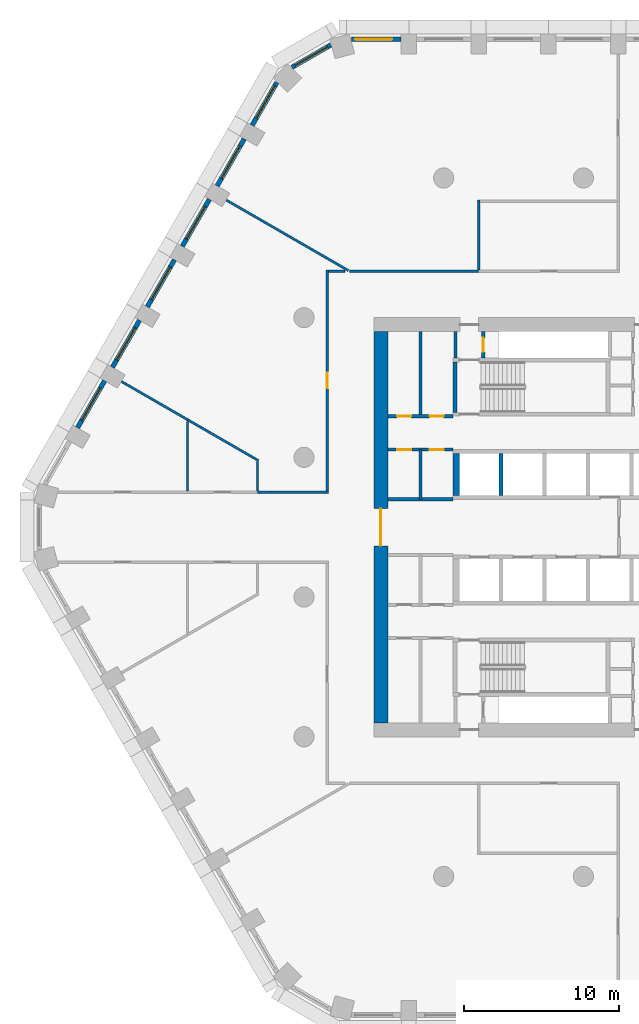
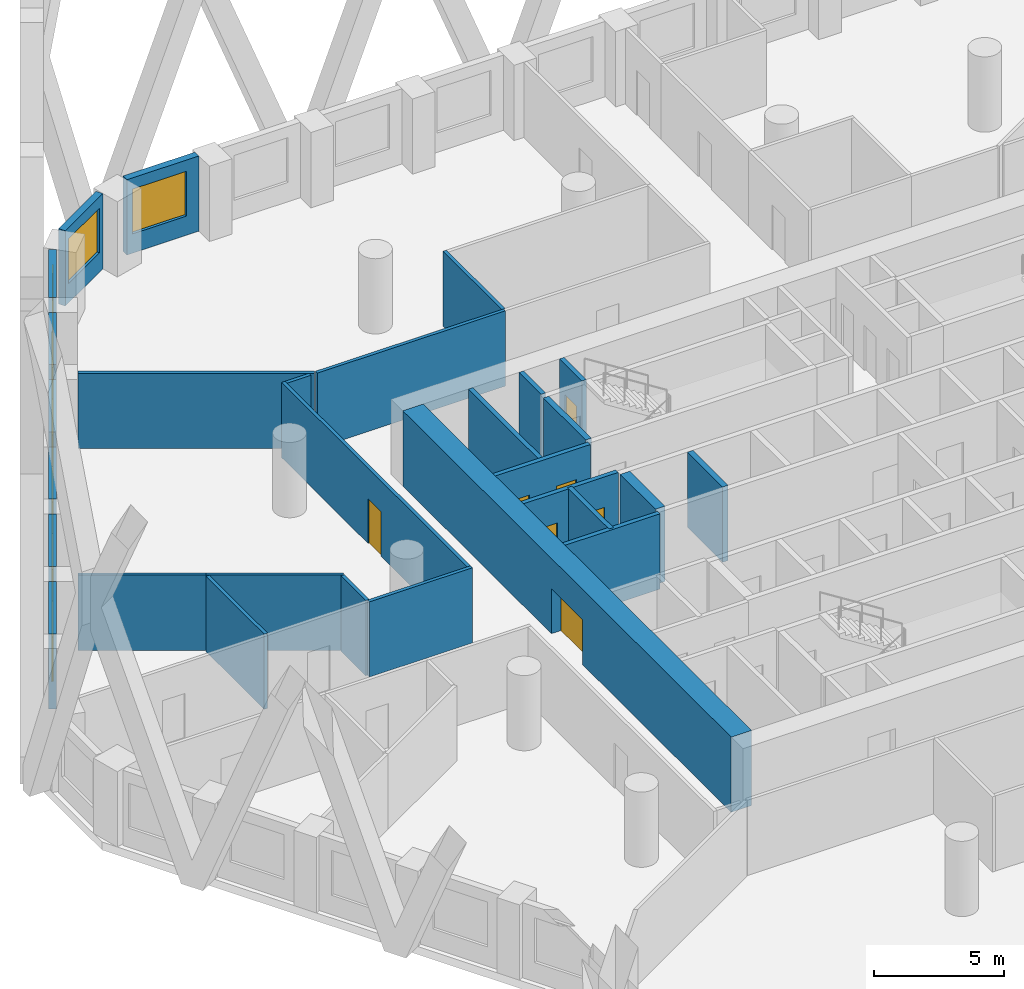
# One storey, part 5 of 18: 29 walls, 8 windows, 7 doors, 15 openings.
"""IFC4 building model written with IfcOpenShell, lengths in metres."""

from ifc_helpers import new_model, si_unit, direction, frame, frame_2d, origin, place, context, subcontext, project, spatial, polyline, rectangle, outline, extrude, material, layer, layer_set, type_object, element, fill, save


model = new_model("IFC4")

# Units and contexts
model_context = context("Model", 3, precision=1e-05, world=origin(), true_north=direction((0.0, 1.0)))
body_context = subcontext(model_context, "Body", "Model", "MODEL_VIEW")
ifc_project = project(units=[si_unit("LENGTHUNIT", "METRE"), si_unit("AREAUNIT", "SQUARE_METRE"), si_unit("VOLUMEUNIT", "CUBIC_METRE"), si_unit("PLANEANGLEUNIT", "RADIAN"), si_unit("MASSUNIT", "GRAM", prefix="KILO")], contexts=[model_context])

# Site, building, storey
site_placement = place(None, origin())
site = spatial("IfcSite", under=ifc_project, at=site_placement, CompositionType="ELEMENT")
building_placement = place(site_placement, origin())
building = spatial("IfcBuilding", under=site, at=building_placement, Name="Dhurran Vertical Campus", CompositionType="ELEMENT")
storey_placement = place(building_placement, frame((0.0, 0.0, 104.699951171875)))
storey = spatial("IfcBuildingStorey", under=building, at=storey_placement, Name="L25", CompositionType="ELEMENT", Elevation=104.699951171875)

# Wall, opening, window
ifc_material_1 = material(Name="Precast concrete C50/60", Category="concrete")
ifc_layer_1 = layer(ifc_material_1, 0.300048828125)
ifc_layer_set_1 = layer_set([ifc_layer_1], Name="Precast concrete C50/60")
wall_type_1 = type_object("IfcWallType", Name="Precast spandrel wall 300", PredefinedType="SOLIDWALL", material=ifc_layer_set_1)
wall_1_placement = place(storey_placement, frame((-16.25048828125, 31.4296875, 0.0), z_axis=(0.0, 0.0, 1.0), x_axis=(-1.0, 0.0, 0.0)))
wall_1 = element("IfcWall", 1, at=wall_1_placement, inside=storey, type_object=wall_type_1, Name="EW1 L25.34", PredefinedType="SOLIDWALL", context=body_context, shape_type="SweptSolid", body=[
    extrude(rectangle(XDim=3.1923828125, YDim=0.300048828125, at=frame_2d((1.59619140625, 0.0))), origin(), (0.0, 0.0, 1.0), 3.525146484375),
])
opening_1_placement = place(wall_1_placement, frame((0.549560546875, 0.0, 0.89990234375)))
opening_1 = element("IfcOpeningElement", 2, at=opening_1_placement, cuts=wall_1, Name="Opening WT1", PredefinedType="OPENING", context=body_context, shape_type="SweptSolid", body=[
    extrude(rectangle(XDim=2.39990234375, YDim=2.10009765625, at=frame_2d((1.199951171875, 1.050048828125))), frame((0.0, 0.159912109375, 0.0), z_axis=(0.0, -1.0, 0.0), x_axis=(1.0, 0.0, 0.0)), (0.0, 0.0, 1.0), 0.320068359375),
])
ifc_material_2 = material(Name="Aluminium frame with solar-control glass", Category="aluminium")
window_type = type_object("IfcWindowType", Name="Punched window 2400 x 2100", PartitioningType="SINGLE_PANEL", PredefinedType="WINDOW", material=ifc_material_2)
window_1_placement = place(opening_1_placement, origin())
window_1 = element("IfcWindow", 3, at=window_1_placement, inside=storey, type_object=window_type, Name="WT1 L25.34", OverallHeight=2.10009765625, OverallWidth=2.39990234375, PartitioningType="SINGLE_PANEL", PredefinedType="WINDOW", context=body_context, shape_type="SweptSolid", body=[
    extrude(rectangle(XDim=2.39990234375, YDim=2.10009765625, at=frame_2d((1.199951171875, 1.050048828125))), frame((0.0, 0.030029296875, 0.0), z_axis=(0.0, -1.0, 0.0), x_axis=(1.0, 0.0, 0.0)), (0.0, 0.0, 1.0), 0.06005859375),
])
fill(opening_1, window_1)

wall_2_placement = place(storey_placement, frame((-20.774169921875, 31.072998046875, 0.0), z_axis=(0.0, 0.0, 1.0), x_axis=(-0.866053149362, -0.49995194017, 0.0)))
wall_2 = element("IfcWall", 4, at=wall_2_placement, inside=storey, type_object=wall_type_1, Name="EW1 L25.35", PredefinedType="SOLIDWALL", context=body_context, shape_type="SweptSolid", body=[
    extrude(rectangle(XDim=2.885498046875, YDim=0.300048828125, at=frame_2d((1.44287109375, 0.0))), origin(), (0.0, 0.0, 1.0), 3.525146484375),
])
opening_2_placement = place(wall_2_placement, frame((0.242919921875, 0.0, 0.89990234375)))
opening_2 = element("IfcOpeningElement", 5, at=opening_2_placement, cuts=wall_2, Name="Opening WT1", PredefinedType="OPENING", context=body_context, shape_type="SweptSolid", body=[
    extrude(rectangle(XDim=2.39990234375, YDim=2.10009765625, at=frame_2d((1.199951171875, 1.050048828125))), frame((0.0, 0.159912109375, 0.0), z_axis=(0.0, -1.0, 0.0), x_axis=(1.0, 0.0, 0.0)), (0.0, 0.0, 1.0), 0.320068359375),
])
window_2_placement = place(opening_2_placement, origin())
window_2 = element("IfcWindow", 6, at=window_2_placement, inside=storey, type_object=window_type, Name="WT1 L25.35", OverallHeight=2.10009765625, OverallWidth=2.39990234375, PartitioningType="SINGLE_PANEL", PredefinedType="WINDOW", context=body_context, shape_type="SweptSolid", body=[
    extrude(rectangle(XDim=2.39990234375, YDim=2.10009765625, at=frame_2d((1.199951171875, 1.050048828125))), frame((0.0, 0.030029296875, 0.0), z_axis=(0.0, -1.0, 0.0), x_axis=(1.0, 0.0, 0.0)), (0.0, 0.0, 1.0), 0.06005859375),
])
fill(opening_2, window_2)

wall_3_placement = place(storey_placement, frame((-24.24755859375, 28.65576171875, 0.0), z_axis=(0.0, 0.0, 1.0), x_axis=(-0.500004907028, -0.866022570692, 0.0)))
wall_3 = element("IfcWall", 7, at=wall_3_placement, inside=storey, type_object=wall_type_1, Name="EW1 L25.36", PredefinedType="SOLIDWALL", context=body_context, shape_type="SweptSolid", body=[
    extrude(rectangle(XDim=3.1923828125, YDim=0.300048828125, at=frame_2d((1.59619140625, 0.0))), origin(), (0.0, 0.0, 1.0), 3.525146484375),
])
opening_3_placement = place(wall_3_placement, frame((0.242919921875, 0.0, 0.89990234375)))
opening_3 = element("IfcOpeningElement", 8, at=opening_3_placement, cuts=wall_3, Name="Opening WT1", PredefinedType="OPENING", context=body_context, shape_type="SweptSolid", body=[
    extrude(rectangle(XDim=2.39990234375, YDim=2.10009765625, at=frame_2d((1.199951171875, 1.050048828125))), frame((0.0, 0.159912109375, 0.0), z_axis=(0.0, -1.0, 0.0), x_axis=(1.0, 0.0, 0.0)), (0.0, 0.0, 1.0), 0.320068359375),
])
window_3_placement = place(opening_3_placement, origin())
window_3 = element("IfcWindow", 9, at=window_3_placement, inside=storey, type_object=window_type, Name="WT1 L25.36", OverallHeight=2.10009765625, OverallWidth=2.39990234375, PartitioningType="SINGLE_PANEL", PredefinedType="WINDOW", context=body_context, shape_type="SweptSolid", body=[
    extrude(rectangle(XDim=2.39990234375, YDim=2.10009765625, at=frame_2d((1.199951171875, 1.050048828125))), frame((0.0, 0.030029296875, 0.0), z_axis=(0.0, -1.0, 0.0), x_axis=(1.0, 0.0, 0.0)), (0.0, 0.0, 1.0), 0.06005859375),
])
fill(opening_3, window_3)

wall_4_placement = place(storey_placement, frame((-26.34423828125, 25.024169921875, 0.0), z_axis=(0.0, 0.0, 1.0), x_axis=(-0.499996256241, -0.866027565234, 0.0)))
wall_4 = element("IfcWall", 10, at=wall_4_placement, inside=storey, type_object=wall_type_1, Name="EW1 L25.37", PredefinedType="SOLIDWALL", context=body_context, shape_type="SweptSolid", body=[
    extrude(rectangle(XDim=3.4990234375, YDim=0.300048828125, at=frame_2d((1.74951171875, 0.0))), origin(), (0.0, 0.0, 1.0), 3.525146484375),
])
opening_4_placement = place(wall_4_placement, frame((0.549560546875, 0.0, 0.89990234375)))
opening_4 = element("IfcOpeningElement", 11, at=opening_4_placement, cuts=wall_4, Name="Opening WT1", PredefinedType="OPENING", context=body_context, shape_type="SweptSolid", body=[
    extrude(rectangle(XDim=2.39990234375, YDim=2.10009765625, at=frame_2d((1.199951171875, 1.050048828125))), frame((0.0, 0.159912109375, 0.0), z_axis=(0.0, -1.0, 0.0), x_axis=(1.0, 0.0, 0.0)), (0.0, 0.0, 1.0), 0.320068359375),
])
window_4_placement = place(opening_4_placement, origin())
window_4 = element("IfcWindow", 12, at=window_4_placement, inside=storey, type_object=window_type, Name="WT1 L25.37", OverallHeight=2.10009765625, OverallWidth=2.39990234375, PartitioningType="SINGLE_PANEL", PredefinedType="WINDOW", context=body_context, shape_type="SweptSolid", body=[
    extrude(rectangle(XDim=2.39990234375, YDim=2.10009765625, at=frame_2d((1.199951171875, 1.050048828125))), frame((0.0, 0.030029296875, 0.0), z_axis=(0.0, -1.0, 0.0), x_axis=(1.0, 0.0, 0.0)), (0.0, 0.0, 1.0), 0.06005859375),
])
fill(opening_4, window_4)

wall_5_placement = place(storey_placement, frame((-28.59423828125, 21.127197265625, 0.0), z_axis=(0.0, 0.0, 1.0), x_axis=(-0.499996256241, -0.866027565234, 0.0)))
wall_5 = element("IfcWall", 13, at=wall_5_placement, inside=storey, type_object=wall_type_1, Name="EW1 L25.38", PredefinedType="SOLIDWALL", context=body_context, shape_type="SweptSolid", body=[
    extrude(rectangle(XDim=3.4990234375, YDim=0.300048828125, at=frame_2d((1.74951171875, 0.0))), origin(), (0.0, 0.0, 1.0), 3.525146484375),
])
opening_5_placement = place(wall_5_placement, frame((0.549560546875, 0.0, 0.89990234375)))
opening_5 = element("IfcOpeningElement", 14, at=opening_5_placement, cuts=wall_5, Name="Opening WT1", PredefinedType="OPENING", context=body_context, shape_type="SweptSolid", body=[
    extrude(rectangle(XDim=2.39990234375, YDim=2.10009765625, at=frame_2d((1.199951171875, 1.050048828125))), frame((0.0, 0.159912109375, 0.0), z_axis=(0.0, -1.0, 0.0), x_axis=(1.0, 0.0, 0.0)), (0.0, 0.0, 1.0), 0.320068359375),
])
window_5_placement = place(opening_5_placement, origin())
window_5 = element("IfcWindow", 15, at=window_5_placement, inside=storey, type_object=window_type, Name="WT1 L25.38", OverallHeight=2.10009765625, OverallWidth=2.39990234375, PartitioningType="SINGLE_PANEL", PredefinedType="WINDOW", context=body_context, shape_type="SweptSolid", body=[
    extrude(rectangle(XDim=2.39990234375, YDim=2.10009765625, at=frame_2d((1.199951171875, 1.050048828125))), frame((0.0, 0.030029296875, 0.0), z_axis=(0.0, -1.0, 0.0), x_axis=(1.0, 0.0, 0.0)), (0.0, 0.0, 1.0), 0.06005859375),
])
fill(opening_5, window_5)

wall_6_placement = place(storey_placement, frame((-30.84423828125, 17.22998046875, 0.0), z_axis=(0.0, 0.0, 1.0), x_axis=(-0.499996256241, -0.866027565234, 0.0)))
wall_6 = element("IfcWall", 16, at=wall_6_placement, inside=storey, type_object=wall_type_1, Name="EW1 L25.39", PredefinedType="SOLIDWALL", context=body_context, shape_type="SweptSolid", body=[
    extrude(rectangle(XDim=3.4990234375, YDim=0.300048828125, at=frame_2d((1.74951171875, 0.0))), origin(), (0.0, 0.0, 1.0), 3.525146484375),
])
opening_6_placement = place(wall_6_placement, frame((0.549560546875, 0.0, 0.89990234375)))
opening_6 = element("IfcOpeningElement", 17, at=opening_6_placement, cuts=wall_6, Name="Opening WT1", PredefinedType="OPENING", context=body_context, shape_type="SweptSolid", body=[
    extrude(rectangle(XDim=2.39990234375, YDim=2.10009765625, at=frame_2d((1.199951171875, 1.050048828125))), frame((0.0, 0.159912109375, 0.0), z_axis=(0.0, -1.0, 0.0), x_axis=(1.0, 0.0, 0.0)), (0.0, 0.0, 1.0), 0.320068359375),
])
window_6_placement = place(opening_6_placement, origin())
window_6 = element("IfcWindow", 18, at=window_6_placement, inside=storey, type_object=window_type, Name="WT1 L25.39", OverallHeight=2.10009765625, OverallWidth=2.39990234375, PartitioningType="SINGLE_PANEL", PredefinedType="WINDOW", context=body_context, shape_type="SweptSolid", body=[
    extrude(rectangle(XDim=2.39990234375, YDim=2.10009765625, at=frame_2d((1.199951171875, 1.050048828125))), frame((0.0, 0.030029296875, 0.0), z_axis=(0.0, -1.0, 0.0), x_axis=(1.0, 0.0, 0.0)), (0.0, 0.0, 1.0), 0.06005859375),
])
fill(opening_6, window_6)

wall_7_placement = place(storey_placement, frame((-33.09423828125, 13.3330078125, 0.0), z_axis=(0.0, 0.0, 1.0), x_axis=(-0.499996256241, -0.866027565234, 0.0)))
wall_7 = element("IfcWall", 19, at=wall_7_placement, inside=storey, type_object=wall_type_1, Name="EW1 L25.40", PredefinedType="SOLIDWALL", context=body_context, shape_type="SweptSolid", body=[
    extrude(rectangle(XDim=3.4990234375, YDim=0.300048828125, at=frame_2d((1.74951171875, 0.0))), origin(), (0.0, 0.0, 1.0), 3.525146484375),
])
opening_7_placement = place(wall_7_placement, frame((0.549560546875, 0.0, 0.89990234375)))
opening_7 = element("IfcOpeningElement", 20, at=opening_7_placement, cuts=wall_7, Name="Opening WT1", PredefinedType="OPENING", context=body_context, shape_type="SweptSolid", body=[
    extrude(rectangle(XDim=2.39990234375, YDim=2.10009765625, at=frame_2d((1.199951171875, 1.050048828125))), frame((0.0, 0.159912109375, 0.0), z_axis=(0.0, -1.0, 0.0), x_axis=(1.0, 0.0, 0.0)), (0.0, 0.0, 1.0), 0.320068359375),
])
window_7_placement = place(opening_7_placement, origin())
window_7 = element("IfcWindow", 21, at=window_7_placement, inside=storey, type_object=window_type, Name="WT1 L25.40", OverallHeight=2.10009765625, OverallWidth=2.39990234375, PartitioningType="SINGLE_PANEL", PredefinedType="WINDOW", context=body_context, shape_type="SweptSolid", body=[
    extrude(rectangle(XDim=2.39990234375, YDim=2.10009765625, at=frame_2d((1.199951171875, 1.050048828125))), frame((0.0, 0.030029296875, 0.0), z_axis=(0.0, -1.0, 0.0), x_axis=(1.0, 0.0, 0.0)), (0.0, 0.0, 1.0), 0.06005859375),
])
fill(opening_7, window_7)

wall_8_placement = place(storey_placement, frame((-35.34423828125, 9.435791015625, 0.0), z_axis=(0.0, 0.0, 1.0), x_axis=(-0.499996256241, -0.866027565234, 0.0)))
wall_8 = element("IfcWall", 22, at=wall_8_placement, inside=storey, type_object=wall_type_1, Name="EW1 L25.41", PredefinedType="SOLIDWALL", context=body_context, shape_type="SweptSolid", body=[
    extrude(rectangle(XDim=3.4990234375, YDim=0.300048828125, at=frame_2d((1.74951171875, 0.0))), origin(), (0.0, 0.0, 1.0), 3.525146484375),
])
opening_8_placement = place(wall_8_placement, frame((0.549560546875, 0.0, 0.89990234375)))
opening_8 = element("IfcOpeningElement", 23, at=opening_8_placement, cuts=wall_8, Name="Opening WT1", PredefinedType="OPENING", context=body_context, shape_type="SweptSolid", body=[
    extrude(rectangle(XDim=2.39990234375, YDim=2.10009765625, at=frame_2d((1.199951171875, 1.050048828125))), frame((0.0, 0.159912109375, 0.0), z_axis=(0.0, -1.0, 0.0), x_axis=(1.0, 0.0, 0.0)), (0.0, 0.0, 1.0), 0.320068359375),
])
window_8_placement = place(opening_8_placement, origin())
window_8 = element("IfcWindow", 24, at=window_8_placement, inside=storey, type_object=window_type, Name="WT1 L25.41", OverallHeight=2.10009765625, OverallWidth=2.39990234375, PartitioningType="SINGLE_PANEL", PredefinedType="WINDOW", context=body_context, shape_type="SweptSolid", body=[
    extrude(rectangle(XDim=2.39990234375, YDim=2.10009765625, at=frame_2d((1.199951171875, 1.050048828125))), frame((0.0, 0.030029296875, 0.0), z_axis=(0.0, -1.0, 0.0), x_axis=(1.0, 0.0, 0.0)), (0.0, 0.0, 1.0), 0.06005859375),
])
fill(opening_8, window_8)

# Wall, opening, door
ifc_material_3 = material(Name="Concrete C60/75", Category="concrete")
ifc_layer_2 = layer(ifc_material_3, 0.89990234375)
ifc_layer_set_2 = layer_set([ifc_layer_2], Name="Concrete C60/75")
wall_type_2 = type_object("IfcWallType", Name="co-CORE-WALL-C0-900", PredefinedType="SHEAR", material=ifc_layer_set_2)
wall_9_placement = place(storey_placement, frame((-17.550048828125, -12.60009765625, 0.0), z_axis=(0.0, 0.0, 1.0), x_axis=(0.0, 1.0, 0.0)))
wall_9 = element("IfcWall", 25, at=wall_9_placement, inside=storey, type_object=wall_type_2, Name="Core wall W L25", PredefinedType="SHEAR", context=body_context, shape_type="SweptSolid", body=[
    extrude(rectangle(XDim=25.2001953125, YDim=0.89990234375, at=frame_2d((12.60009765625, 0.0))), origin(), (0.0, 0.0, 1.0), 3.525146484375),
])
opening_9_placement = place(wall_9_placement, frame((11.39990234375, 0.0, 0.0)))
opening_9 = element("IfcOpeningElement", 26, at=opening_9_placement, cuts=wall_9, Name="Opening CL1", PredefinedType="OPENING", context=body_context, shape_type="SweptSolid", body=[
    extrude(rectangle(XDim=2.39990234375, YDim=2.10009765625, at=frame_2d((1.199951171875, 1.050048828125))), frame((0.0, 0.4599609375, 0.0), z_axis=(0.0, -1.0, 0.0), x_axis=(1.0, 0.0, 0.0)), (0.0, 0.0, 1.0), 0.919921875),
])
ifc_material_4 = material(Name="Fire-rated glazed door set")
door_type_1 = type_object("IfcDoorType", Name="co-D-LOBBY 2400x2100", OperationType="DOUBLE_DOOR_DOUBLE_SWING", PredefinedType="DOOR", material=ifc_material_4)
door_1_placement = place(opening_9_placement, origin())
door_1 = element("IfcDoor", 27, at=door_1_placement, inside=storey, type_object=door_type_1, Name="Lift lobby door W L25", OperationType="DOUBLE_DOOR_DOUBLE_SWING", OverallHeight=2.10009765625, OverallWidth=2.39990234375, PredefinedType="DOOR", context=body_context, shape_type="SweptSolid", body=[
    extrude(rectangle(XDim=2.39990234375, YDim=2.10009765625, at=frame_2d((1.199951171875, 1.050048828125))), frame((0.0, 0.02490234375, 0.0), z_axis=(0.0, -1.0, 0.0), x_axis=(1.0, 0.0, 0.0)), (0.0, 0.0, 1.0), 0.050048828125),
])
fill(opening_9, door_1)

# Wall
ifc_material_5 = material(Name="Fire-rated masonry blockwork", Category="masonry")
ifc_layer_3 = layer(ifc_material_5, 0.199951171875)
ifc_layer_set_3 = layer_set([ifc_layer_3], Name="Fire-rated masonry blockwork")
wall_type_3 = type_object("IfcWallType", Name="co-FIRE-PARTITION-200", PredefinedType="PARTITIONING", material=ifc_layer_set_3)
wall_10_placement = place(storey_placement, frame((-12.75, 10.89990234375, 0.0), z_axis=(0.0, 0.0, 1.0), x_axis=(0.0, 1.0, 0.0)))
element("IfcWall", 28, at=wall_10_placement, inside=storey, type_object=wall_type_3, Name="Core partition pass-ST1-o L25", PredefinedType="PARTITIONING", context=body_context, shape_type="SweptSolid", body=[
    extrude(rectangle(XDim=1.7001953125, YDim=0.199951171875, at=frame_2d((0.85009765625, 0.0))), origin(), (0.0, 0.0, 1.0), 3.525146484375),
])

# Wall, opening, door
wall_11_placement = place(storey_placement, frame((-10.949951171875, 10.89990234375, 0.0), z_axis=(0.0, 0.0, 1.0), x_axis=(0.0, 1.0, 0.0)))
wall_11 = element("IfcWall", 29, at=wall_11_placement, inside=storey, type_object=wall_type_3, Name="Core partition pass-ST1-i L25", PredefinedType="PARTITIONING", context=body_context, shape_type="SweptSolid", body=[
    extrude(rectangle(XDim=1.7001953125, YDim=0.199951171875, at=frame_2d((0.85009765625, 0.0))), origin(), (0.0, 0.0, 1.0), 3.525146484375),
])
opening_10_placement = place(wall_11_placement, frame((0.39990234375, 0.0, 0.0)))
opening_10 = element("IfcOpeningElement", 30, at=opening_10_placement, cuts=wall_11, Name="Opening T07-C13", PredefinedType="OPENING", context=body_context, shape_type="SweptSolid", body=[
    extrude(rectangle(XDim=0.89990234375, YDim=2.10009765625, at=frame_2d((0.449951171875, 1.050048828125))), frame((0.0, 0.10986328125, 0.0), z_axis=(0.0, -1.0, 0.0), x_axis=(1.0, 0.0, 0.0)), (0.0, 0.0, 1.0), 0.219970703125),
])
ifc_material_6 = material(Name="Fire-rated timber door set", Category="wood")
door_type_2 = type_object("IfcDoorType", Name="co-D-ROOM 900x2100", OperationType="SINGLE_SWING_LEFT", PredefinedType="DOOR", material=ifc_material_6)
door_2_placement = place(opening_10_placement, origin())
door_2 = element("IfcDoor", 31, at=door_2_placement, inside=storey, type_object=door_type_2, Name="Riser room door L25", OperationType="SINGLE_SWING_LEFT", OverallHeight=2.10009765625, OverallWidth=0.89990234375, PredefinedType="DOOR", context=body_context, shape_type="SweptSolid", body=[
    extrude(rectangle(XDim=0.89990234375, YDim=2.10009765625, at=frame_2d((0.449951171875, 1.050048828125))), frame((0.0, 0.02490234375, 0.0), z_axis=(0.0, -1.0, 0.0), x_axis=(1.0, 0.0, 0.0)), (0.0, 0.0, 1.0), 0.050048828125),
])
fill(opening_10, door_2)

# Wall
wall_12_placement = place(storey_placement, frame((-15.0, 7.14990234375, 0.0), z_axis=(0.0, 0.0, 1.0), x_axis=(0.0, 1.0, 0.0)))
element("IfcWall", 32, at=wall_12_placement, inside=storey, type_object=wall_type_3, Name="Core partition en-NW-cut0 L25", PredefinedType="PARTITIONING", context=body_context, shape_type="SweptSolid", body=[
    extrude(rectangle(XDim=5.4501953125, YDim=0.199951171875, at=frame_2d((2.72509765625, 0.0))), origin(), (0.0, 0.0, 1.0), 3.525146484375),
])

# Wall, openings, doors
wall_13_placement = place(storey_placement, frame((-17.10009765625, 7.14990234375, 0.0), z_axis=(0.0, 0.0, 1.0), x_axis=(1.0, 0.0, 0.0)))
wall_13 = element("IfcWall", 33, at=wall_13_placement, inside=storey, type_object=wall_type_3, Name="Core partition en-NW-w L25", PredefinedType="PARTITIONING", context=body_context, shape_type="SweptSolid", body=[
    extrude(rectangle(XDim=4.2001953125, YDim=0.199951171875, at=frame_2d((2.10009765625, 0.0))), origin(), (0.0, 0.0, 1.0), 3.525146484375),
])
opening_11_placement = place(wall_13_placement, frame((0.60009765625, 0.0, 0.0)))
opening_11 = element("IfcOpeningElement", 34, at=opening_11_placement, cuts=wall_13, Name="Opening T07-C17", PredefinedType="OPENING", context=body_context, shape_type="SweptSolid", body=[
    extrude(rectangle(XDim=0.89990234375, YDim=2.10009765625, at=frame_2d((0.449951171875, 1.050048828125))), frame((0.0, 0.10986328125, 0.0), z_axis=(0.0, -1.0, 0.0), x_axis=(1.0, 0.0, 0.0)), (0.0, 0.0, 1.0), 0.219970703125),
])
opening_12_placement = place(wall_13_placement, frame((2.699951171875, 0.0, 0.0)))
opening_12 = element("IfcOpeningElement", 35, at=opening_12_placement, cuts=wall_13, Name="Opening T07-C18", PredefinedType="OPENING", context=body_context, shape_type="SweptSolid", body=[
    extrude(rectangle(XDim=0.89990234375, YDim=2.10009765625, at=frame_2d((0.449951171875, 1.050048828125))), frame((0.0, 0.10986328125, 0.0), z_axis=(0.0, -1.0, 0.0), x_axis=(1.0, 0.0, 0.0)), (0.0, 0.0, 1.0), 0.219970703125),
])
door_3_placement = place(opening_11_placement, origin())
door_3 = element("IfcDoor", 36, at=door_3_placement, inside=storey, type_object=door_type_2, Name="Cleaner's store door L25", OperationType="SINGLE_SWING_LEFT", OverallHeight=2.10009765625, OverallWidth=0.89990234375, PredefinedType="DOOR", context=body_context, shape_type="SweptSolid", body=[
    extrude(rectangle(XDim=0.89990234375, YDim=2.10009765625, at=frame_2d((0.449951171875, 1.050048828125))), frame((0.0, 0.02490234375, 0.0), z_axis=(0.0, -1.0, 0.0), x_axis=(1.0, 0.0, 0.0)), (0.0, 0.0, 1.0), 0.050048828125),
])
fill(opening_11, door_3)
door_4_placement = place(opening_12_placement, origin())
door_4 = element("IfcDoor", 37, at=door_4_placement, inside=storey, type_object=door_type_2, Name="Cleaner's store door L25", OperationType="SINGLE_SWING_LEFT", OverallHeight=2.10009765625, OverallWidth=0.89990234375, PredefinedType="DOOR", context=body_context, shape_type="SweptSolid", body=[
    extrude(rectangle(XDim=0.89990234375, YDim=2.10009765625, at=frame_2d((0.449951171875, 1.050048828125))), frame((0.0, 0.02490234375, 0.0), z_axis=(0.0, -1.0, 0.0), x_axis=(1.0, 0.0, 0.0)), (0.0, 0.0, 1.0), 0.050048828125),
])
fill(opening_12, door_4)

# Wall
wall_14_placement = place(storey_placement, frame((-15.0, 1.800048828125, 0.0), z_axis=(0.0, 0.0, 1.0), x_axis=(0.0, 1.0, 0.0)))
element("IfcWall", 38, at=wall_14_placement, inside=storey, type_object=wall_type_3, Name="Core partition es-NW-cut0 L25", PredefinedType="PARTITIONING", context=body_context, shape_type="SweptSolid", body=[
    extrude(rectangle(XDim=3.199951171875, YDim=0.199951171875, at=frame_2d((1.60009765625, 0.0))), origin(), (0.0, 0.0, 1.0), 3.525146484375),
])

# Wall, openings, doors
wall_15_placement = place(storey_placement, frame((-17.10009765625, 5.0, 0.0), z_axis=(0.0, 0.0, 1.0), x_axis=(1.0, 0.0, 0.0)))
wall_15 = element("IfcWall", 39, at=wall_15_placement, inside=storey, type_object=wall_type_3, Name="Core partition es-NW-w L25", PredefinedType="PARTITIONING", context=body_context, shape_type="SweptSolid", body=[
    extrude(rectangle(XDim=4.2001953125, YDim=0.199951171875, at=frame_2d((2.10009765625, 0.0))), origin(), (0.0, 0.0, 1.0), 3.525146484375),
])
opening_13_placement = place(wall_15_placement, frame((0.60009765625, 0.0, 0.0)))
opening_13 = element("IfcOpeningElement", 40, at=opening_13_placement, cuts=wall_15, Name="Opening T07-C19", PredefinedType="OPENING", context=body_context, shape_type="SweptSolid", body=[
    extrude(rectangle(XDim=0.89990234375, YDim=2.10009765625, at=frame_2d((0.449951171875, 1.050048828125))), frame((0.0, 0.10986328125, 0.0), z_axis=(0.0, -1.0, 0.0), x_axis=(1.0, 0.0, 0.0)), (0.0, 0.0, 1.0), 0.219970703125),
])
opening_14_placement = place(wall_15_placement, frame((2.699951171875, 0.0, 0.0)))
opening_14 = element("IfcOpeningElement", 41, at=opening_14_placement, cuts=wall_15, Name="Opening T07-C20", PredefinedType="OPENING", context=body_context, shape_type="SweptSolid", body=[
    extrude(rectangle(XDim=0.89990234375, YDim=2.10009765625, at=frame_2d((0.449951171875, 1.050048828125))), frame((0.0, 0.10986328125, 0.0), z_axis=(0.0, -1.0, 0.0), x_axis=(1.0, 0.0, 0.0)), (0.0, 0.0, 1.0), 0.219970703125),
])
door_5_placement = place(opening_13_placement, origin())
door_5 = element("IfcDoor", 42, at=door_5_placement, inside=storey, type_object=door_type_2, Name="Fire equipment store door L25", OperationType="SINGLE_SWING_LEFT", OverallHeight=2.10009765625, OverallWidth=0.89990234375, PredefinedType="DOOR", context=body_context, shape_type="SweptSolid", body=[
    extrude(rectangle(XDim=0.89990234375, YDim=2.10009765625, at=frame_2d((0.449951171875, 1.050048828125))), frame((0.0, 0.02490234375, 0.0), z_axis=(0.0, -1.0, 0.0), x_axis=(1.0, 0.0, 0.0)), (0.0, 0.0, 1.0), 0.050048828125),
])
fill(opening_13, door_5)
door_6_placement = place(opening_14_placement, origin())
door_6 = element("IfcDoor", 43, at=door_6_placement, inside=storey, type_object=door_type_2, Name="Housekeeping store door L25", OperationType="SINGLE_SWING_LEFT", OverallHeight=2.10009765625, OverallWidth=0.89990234375, PredefinedType="DOOR", context=body_context, shape_type="SweptSolid", body=[
    extrude(rectangle(XDim=0.89990234375, YDim=2.10009765625, at=frame_2d((0.449951171875, 1.050048828125))), frame((0.0, 0.02490234375, 0.0), z_axis=(0.0, -1.0, 0.0), x_axis=(1.0, 0.0, 0.0)), (0.0, 0.0, 1.0), 0.050048828125),
])
fill(opening_14, door_6)

# Walls
wall_16_placement = place(storey_placement, frame((-17.10009765625, 1.800048828125, 0.0), z_axis=(0.0, 0.0, 1.0), x_axis=(1.0, 0.0, 0.0)))
element("IfcWall", 44, at=wall_16_placement, inside=storey, type_object=wall_type_3, Name="Core partition es-NW-l L25", PredefinedType="PARTITIONING", context=body_context, shape_type="SweptSolid", body=[
    extrude(rectangle(XDim=4.2001953125, YDim=0.199951171875, at=frame_2d((2.10009765625, 0.0))), origin(), (0.0, 0.0, 1.0), 3.525146484375),
])
ifc_material_7 = material(Name="Concrete C50/60", Category="concrete")
ifc_layer_4 = layer(ifc_material_7, 0.25)
ifc_layer_set_4 = layer_set([ifc_layer_4], Name="Concrete C50/60")
wall_type_4 = type_object("IfcWallType", Name="co-SHAFT-MASS-250", PredefinedType="SHEAR", material=ifc_layer_set_4)
wall_17_placement = place(storey_placement, origin())
element("IfcWall", 45, at=wall_17_placement, inside=storey, type_object=wall_type_4, Name="Lift shaft wall N L25 2", PredefinedType="SHEAR", context=body_context, shape_type="SweptSolid", body=[
    extrude(outline(polyline([(-12.89990234375, 2.050048828125), (-12.47509765625, 2.050048828125), (-12.47509765625, 4.75), (-12.89990234375, 4.75), (-12.89990234375, 2.050048828125)])), origin(), (0.0, 0.0, 1.0), 3.525146484375),
])
wall_18_placement = place(storey_placement, origin())
element("IfcWall", 46, at=wall_18_placement, inside=storey, type_object=wall_type_4, Name="Lift shaft wall N L25 3", PredefinedType="SHEAR", context=body_context, shape_type="SweptSolid", body=[
    extrude(outline(polyline([(-9.925048828125, 2.050048828125), (-9.675048828125, 2.050048828125), (-9.675048828125, 4.75), (-9.925048828125, 4.75), (-9.925048828125, 2.050048828125)])), origin(), (0.0, 0.0, 1.0), 3.525146484375),
])
ifc_material_8 = material(Name="Concrete C40/50", Category="concrete")
ifc_layer_5 = layer(ifc_material_8, 0.25)
ifc_layer_set_5 = layer_set([ifc_layer_5], Name="Concrete C40/50")
wall_type_5 = type_object("IfcWallType", Name="co-STAIR-WALL-250", PredefinedType="SHEAR", material=ifc_layer_set_5)
wall_19_placement = place(storey_placement, frame((-12.77490234375, 7.39990234375, 0.0), z_axis=(0.0, 0.0, 1.0), x_axis=(0.0, 1.0, 0.0)))
element("IfcWall", 47, at=wall_19_placement, inside=storey, type_object=wall_type_5, Name="Stair ST1 enclosure wall L25", PredefinedType="SHEAR", context=body_context, shape_type="SweptSolid", body=[
    extrude(rectangle(XDim=3.25, YDim=0.25, at=frame_2d((1.625, 0.0))), origin(), (0.0, 0.0, 1.0), 3.525146484375),
])
ifc_material_9 = material(Name="Gypsum board corridor wall on steel studs", Category="steel")
ifc_layer_6 = layer(ifc_material_9, 0.14990234375)
ifc_layer_set_6 = layer_set([ifc_layer_6], Name="Gypsum board corridor wall on steel studs")
wall_type_6 = type_object("IfcWallType", Name="fl-CW-150 corridor wall", PredefinedType="PARTITIONING", material=ifc_layer_set_6)
wall_20_placement = place(storey_placement, frame((-25.5, 2.25, 0.0), z_axis=(0.0, 0.0, 1.0), x_axis=(1.0, 0.0, 0.0)))
element("IfcWall", 48, at=wall_20_placement, inside=storey, type_object=wall_type_6, Name="Partition 25-16", PredefinedType="PARTITIONING", context=body_context, shape_type="SweptSolid", body=[
    extrude(rectangle(XDim=4.574951171875, YDim=0.14990234375, at=frame_2d((2.28759765625, 0.0))), origin(), (0.0, 0.0, 1.0), 3.525146484375),
])

# Wall, opening, door
wall_21_placement = place(storey_placement, frame((-21.0, 16.574951171875, 0.0), z_axis=(0.0, 0.0, 1.0), x_axis=(0.0, -1.0, 0.0)))
wall_21 = element("IfcWall", 49, at=wall_21_placement, inside=storey, type_object=wall_type_6, Name="Partition 25-19", PredefinedType="PARTITIONING", context=body_context, shape_type="SweptSolid", body=[
    extrude(rectangle(XDim=14.25, YDim=0.14990234375, at=frame_2d((7.125, 0.0))), origin(), (0.0, 0.0, 1.0), 3.525146484375),
])
opening_15_placement = place(wall_21_placement, frame((6.625, 0.0, 0.0)))
opening_15 = element("IfcOpeningElement", 50, at=opening_15_placement, cuts=wall_21, Name="Opening T07.06", PredefinedType="OPENING", context=body_context, shape_type="SweptSolid", body=[
    extrude(rectangle(XDim=1.0, YDim=2.10009765625, at=frame_2d((0.5, 1.050048828125))), frame((0.0, 0.0849609375, 0.0), z_axis=(0.0, -1.0, 0.0), x_axis=(1.0, 0.0, 0.0)), (0.0, 0.0, 1.0), 0.169921875),
])
ifc_material_10 = material(Name="Solid-core timber door set, fire-rated", Category="wood")
door_type_3 = type_object("IfcDoorType", Name="fl-D-1000x2100", OperationType="SINGLE_SWING_LEFT", PredefinedType="DOOR", material=ifc_material_10)
door_7_placement = place(opening_15_placement, origin())
door_7 = element("IfcDoor", 51, at=door_7_placement, inside=storey, type_object=door_type_3, Name="Door 25.06", OperationType="SINGLE_SWING_RIGHT", OverallHeight=2.10009765625, OverallWidth=1.0, PredefinedType="DOOR", context=body_context, shape_type="SweptSolid", body=[
    extrude(rectangle(XDim=1.0, YDim=2.10009765625, at=frame_2d((0.5, 1.050048828125))), frame((0.0, 0.02490234375, 0.0), z_axis=(0.0, -1.0, 0.0), x_axis=(1.0, 0.0, 0.0)), (0.0, 0.0, 1.0), 0.050048828125),
])
fill(opening_15, door_7)

# Walls
wall_22_placement = place(storey_placement, frame((-19.85400390625, 16.5, 0.0), z_axis=(0.0, 0.0, 1.0), x_axis=(-1.0, 0.0, 0.0)))
element("IfcWall", 52, at=wall_22_placement, inside=storey, type_object=wall_type_6, Name="Partition 25-20", PredefinedType="PARTITIONING", context=body_context, shape_type="SweptSolid", body=[
    extrude(rectangle(XDim=1.071044921875, YDim=0.14990234375, at=frame_2d((0.53564453125, 0.0))), origin(), (0.0, 0.0, 1.0), 3.525146484375),
])
wall_23_placement = place(storey_placement, frame((-11.25, 16.5, 0.0), z_axis=(0.0, 0.0, 1.0), x_axis=(-1.0, 0.0, 0.0)))
element("IfcWall", 53, at=wall_23_placement, inside=storey, type_object=wall_type_6, Name="Partition 25-22", PredefinedType="PARTITIONING", context=body_context, shape_type="SweptSolid", body=[
    extrude(rectangle(XDim=8.3291015625, YDim=0.14990234375, at=frame_2d((4.16455078125, 0.0))), origin(), (0.0, 0.0, 1.0), 3.525146484375),
])
ifc_material_11 = material(Name="Gypsum board partition on steel studs", Category="steel")
ifc_layer_7 = layer(ifc_material_11, 0.14990234375)
ifc_layer_set_7 = layer_set([ifc_layer_7], Name="Gypsum board partition on steel studs")
wall_type_7 = type_object("IfcWallType", Name="fl-PW-150 fixed partition", PredefinedType="PARTITIONING", material=ifc_layer_set_7)
wall_24_placement = place(storey_placement, frame((-34.25390625, 9.38427734375, 0.0), z_axis=(0.0, 0.0, 1.0), x_axis=(0.865998524286, -0.500046553767, 0.0)))
element("IfcWall", 54, at=wall_24_placement, inside=storey, type_object=wall_type_7, Name="Partition 25-04", PredefinedType="PARTITIONING", context=body_context, shape_type="SweptSolid", body=[
    extrude(rectangle(XDim=4.912109375, YDim=0.14990234375, at=frame_2d((2.4560546875, 0.0))), origin(), (0.0, 0.0, 1.0), 3.525146484375),
])
wall_25_placement = place(storey_placement, frame((-30.0, 6.798095703125, 0.0), z_axis=(0.0, 0.0, 1.0), x_axis=(0.0, -1.0, 0.0)))
element("IfcWall", 55, at=wall_25_placement, inside=storey, type_object=wall_type_7, Name="Partition 25-08", PredefinedType="PARTITIONING", context=body_context, shape_type="SweptSolid", body=[
    extrude(rectangle(XDim=4.47314453125, YDim=0.14990234375, at=frame_2d((2.236572265625, 0.0))), origin(), (0.0, 0.0, 1.0), 3.525146484375),
])
wall_26_placement = place(storey_placement, frame((-30.0, 6.927978515625, 0.0), z_axis=(0.0, 0.0, 1.0), x_axis=(0.866031326857, -0.499989740797, 0.0)))
element("IfcWall", 56, at=wall_26_placement, inside=storey, type_object=wall_type_7, Name="Partition 25-10", PredefinedType="PARTITIONING", context=body_context, shape_type="SweptSolid", body=[
    extrude(rectangle(XDim=5.27099609375, YDim=0.14990234375, at=frame_2d((2.635498046875, 0.0))), origin(), (0.0, 0.0, 1.0), 3.525146484375),
])
wall_27_placement = place(storey_placement, frame((-27.503662109375, 21.075927734375, 0.0), z_axis=(0.0, 0.0, 1.0), x_axis=(0.866004606565, -0.500036020111, 0.0)))
element("IfcWall", 57, at=wall_27_placement, inside=storey, type_object=wall_type_7, Name="Partition 25-12", PredefinedType="PARTITIONING", context=body_context, shape_type="SweptSolid", body=[
    extrude(rectangle(XDim=9.075927734375, YDim=0.14990234375, at=frame_2d((4.5380859375, 0.0))), origin(), (0.0, 0.0, 1.0), 3.525146484375),
])
wall_28_placement = place(storey_placement, frame((-25.5, 4.22998046875, 0.0), z_axis=(0.0, 0.0, 1.0), x_axis=(0.0, -1.0, 0.0)))
element("IfcWall", 58, at=wall_28_placement, inside=storey, type_object=wall_type_7, Name="Partition 25-15", PredefinedType="PARTITIONING", context=body_context, shape_type="SweptSolid", body=[
    extrude(rectangle(XDim=1.905029296875, YDim=0.14990234375, at=frame_2d((0.95263671875, 0.0))), origin(), (0.0, 0.0, 1.0), 3.525146484375),
])
wall_29_placement = place(storey_placement, frame((-11.25, 21.074951171875, 0.0), z_axis=(0.0, 0.0, 1.0), x_axis=(0.0, -1.0, 0.0)))
element("IfcWall", 59, at=wall_29_placement, inside=storey, type_object=wall_type_7, Name="Partition 25-26", PredefinedType="PARTITIONING", context=body_context, shape_type="SweptSolid", body=[
    extrude(rectangle(XDim=4.5, YDim=0.14990234375, at=frame_2d((2.25, 0.0))), origin(), (0.0, 0.0, 1.0), 3.525146484375),
])

save(model, "model.ifc")
